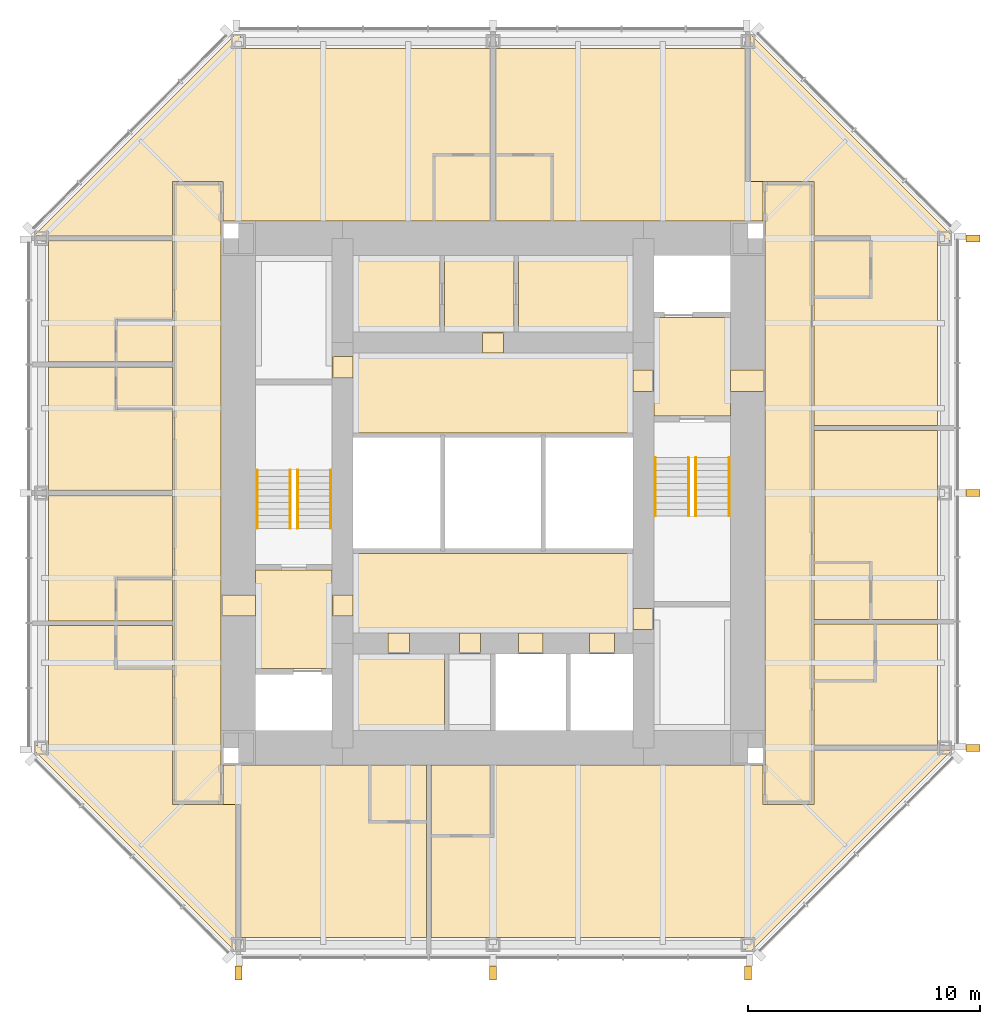
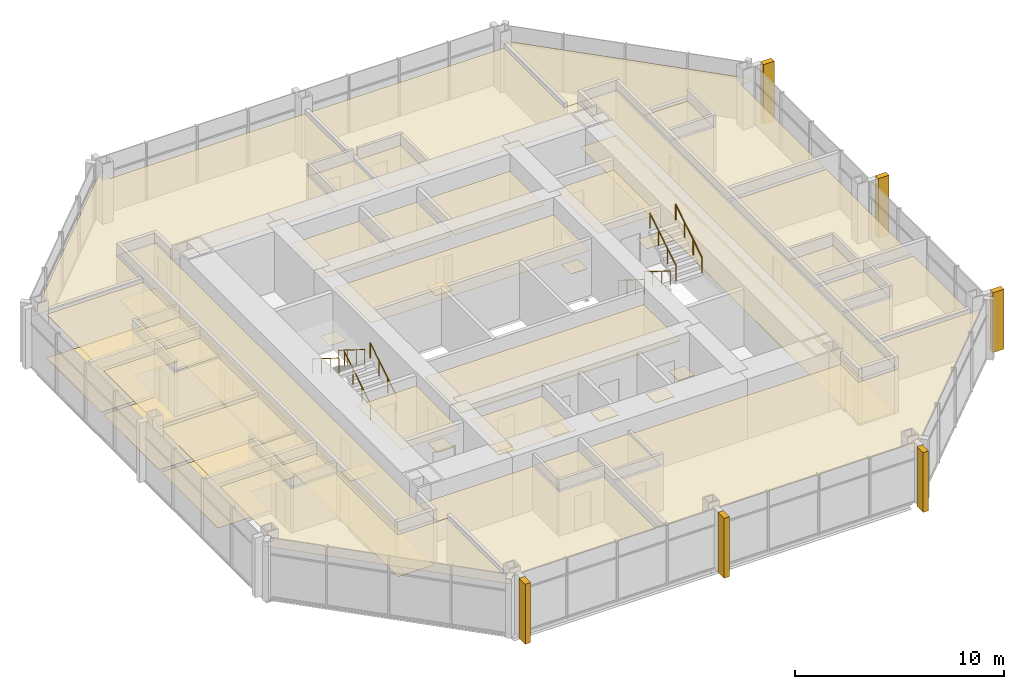
# One storey, part 11 of 11: 54 coverings, 8 railings.
"""IFC4 building model written with IfcOpenShell, lengths in metres."""

from ifc_helpers import new_model, si_unit, direction, frame, origin, origin_2d, place, context, subcontext, project, spatial, polyline, rectangle, circle, outline, extrude, material, layer, layer_set, type_object, element, save


model = new_model("IFC4")

# Units and contexts
model_context = context("Model", 3, precision=1e-05, world=origin(), true_north=direction((0.0, 1.0)))
body_context = subcontext(model_context, "Body", "Model", "MODEL_VIEW")
ifc_project = project(units=[si_unit("LENGTHUNIT", "METRE"), si_unit("AREAUNIT", "SQUARE_METRE"), si_unit("VOLUMEUNIT", "CUBIC_METRE"), si_unit("PLANEANGLEUNIT", "RADIAN"), si_unit("MASSUNIT", "GRAM", prefix="KILO")], contexts=[model_context])

# Site, building, storey
site_placement = place(None, origin())
site = spatial("IfcSite", under=ifc_project, at=site_placement, CompositionType="ELEMENT")
building_placement = place(site_placement, origin())
building = spatial("IfcBuilding", under=site, at=building_placement, Name="Trevanion Tower", CompositionType="ELEMENT")
storey_placement = place(building_placement, frame((0.0, 0.0, 225.699951171875)))
storey = spatial("IfcBuildingStorey", under=building, at=storey_placement, Name="L54", CompositionType="ELEMENT", Elevation=225.699951171875)

# Coverings
ifc_material_1 = material(Name="Fibrous plaster coffers on suspended steel grid", Category="steel")
ifc_layer_1 = layer(ifc_material_1, 0.050048828125)
ifc_layer_set_1 = layer_set([ifc_layer_1], Name="CL1 coffered fibrous plaster ceiling 50")
covering_type_1 = type_object("IfcCoveringType", Name="CL1 coffered fibrous plaster ceiling 50", PredefinedType="CEILING", material=ifc_layer_set_1)
covering_1_placement = place(storey_placement, frame((0.0, 0.0, 2.429931640625)))
element("IfcCovering", 1, at=covering_1_placement, inside=storey, type_object=covering_type_1, Name="CL1 L54-LBS", PredefinedType="CEILING", context=body_context, shape_type="SweptSolid", body=[
    extrude(outline(polyline([(6.050048828125, -6.050048828125), (6.050048828125, -2.60009765625), (-6.050048828125, -2.60009765625), (-6.050048828125, -6.050048828125), (6.050048828125, -6.050048828125)])), origin(), (0.0, 0.0, 1.0), 0.050048828125),
])
ifc_material_2 = material(Name="Mineral fibre acoustic tiles in exposed grid", Category="mineral fibre")
ifc_layer_2 = layer(ifc_material_2, 0.02001953125)
ifc_layer_set_2 = layer_set([ifc_layer_2], Name="CL2 acoustic tile ceiling 20")
covering_type_2 = type_object("IfcCoveringType", Name="CL2 acoustic tile ceiling 20", PredefinedType="CEILING", material=ifc_layer_set_2)
covering_2_placement = place(storey_placement, frame((0.0, 0.0, 2.4599609375)))
element("IfcCovering", 2, at=covering_2_placement, inside=storey, type_object=covering_type_2, Name="CL2 L54-LBN", PredefinedType="CEILING", context=body_context, shape_type="SweptSolid", body=[
    extrude(outline(polyline([(6.050048828125, 2.60009765625), (6.050048828125, 6.050048828125), (-6.050048828125, 6.050048828125), (-6.050048828125, 2.60009765625), (6.050048828125, 2.60009765625)])), origin(), (0.0, 0.0, 1.0), 0.02001953125),
])
covering_3_placement = place(storey_placement, frame((0.0, 0.0, 2.4599609375)))
element("IfcCovering", 3, at=covering_3_placement, inside=storey, type_object=covering_type_2, Name="CL2 L54-HKC", PredefinedType="CEILING", context=body_context, shape_type="SweptSolid", body=[
    extrude(outline(polyline([(0.89990234375, 6.949951171875), (0.89990234375, 10.25), (-2.10009765625, 10.25), (-2.10009765625, 6.949951171875), (0.89990234375, 6.949951171875)])), origin(), (0.0, 0.0, 1.0), 0.02001953125),
])
covering_4_placement = place(storey_placement, frame((0.0, 0.0, 2.633056640625)))
element("IfcCovering", 4, at=covering_4_placement, inside=storey, type_object=covering_type_2, Name="CL2 L54-CO1", PredefinedType="CEILING", context=body_context, shape_type="SweptSolid", body=[
    extrude(outline(polyline([(-11.75, 13.35009765625), (-11.75, -13.35009765625), (-13.75, -13.35009765625), (-13.75, 13.35009765625), (-11.75, 13.35009765625)])), origin(), (0.0, 0.0, 1.0), 0.02001953125),
])
covering_5_placement = place(storey_placement, frame((0.0, 0.0, 2.633056640625)))
element("IfcCovering", 5, at=covering_5_placement, inside=storey, type_object=covering_type_2, Name="CL2 L54-CO2", PredefinedType="CEILING", context=body_context, shape_type="SweptSolid", body=[
    extrude(outline(polyline([(11.75, -13.35009765625), (11.75, 13.35009765625), (13.75, 13.35009765625), (13.75, -13.35009765625), (11.75, -13.35009765625)])), origin(), (0.0, 0.0, 1.0), 0.02001953125),
])
ifc_material_3 = material(Name="Gypsum plasterboard on suspended metal furring", Category="gypsum")
ifc_layer_3 = layer(ifc_material_3, 0.012939453125)
ifc_layer_set_3 = layer_set([ifc_layer_3], Name="CL3 plasterboard ceiling 13")
covering_type_3 = type_object("IfcCoveringType", Name="CL3 plasterboard ceiling 13", PredefinedType="CEILING", material=ifc_layer_set_3)
covering_6_placement = place(storey_placement, frame((0.0, 0.0, 2.699951171875)))
element("IfcCovering", 6, at=covering_6_placement, inside=storey, type_object=covering_type_3, Name="CL3 L54-FV1", PredefinedType="CEILING", context=body_context, shape_type="SweptSolid", body=[
    extrude(outline(polyline([(10.25, 3.324951171875), (10.25, 7.574951171875), (6.949951171875, 7.574951171875), (6.949951171875, 3.324951171875), (10.25, 3.324951171875)])), origin(), (0.0, 0.0, 1.0), 0.01318359375),
])
covering_7_placement = place(storey_placement, frame((0.0, 0.0, 2.699951171875)))
element("IfcCovering", 7, at=covering_7_placement, inside=storey, type_object=covering_type_3, Name="CL3 L54-FV2", PredefinedType="CEILING", context=body_context, shape_type="SweptSolid", body=[
    extrude(outline(polyline([(-10.25, -3.324951171875), (-10.25, -7.574951171875), (-6.949951171875, -7.574951171875), (-6.949951171875, -3.324951171875), (-10.25, -3.324951171875)])), origin(), (0.0, 0.0, 1.0), 0.01318359375),
])
covering_8_placement = place(storey_placement, frame((0.0, 0.0, 2.551025390625)))
element("IfcCovering", 8, at=covering_8_placement, inside=storey, type_object=covering_type_3, Name="CL3 L54-GA", PredefinedType="CEILING", context=body_context, shape_type="SweptSolid", body=[
    extrude(outline(polyline([(13.85009765625, -8.09912109375), (16.5, -8.09912109375), (16.5, -5.64892578125), (19.199951171875, -5.64892578125), (19.199951171875, -10.89990234375), (13.85009765625, -10.89990234375), (13.85009765625, -8.09912109375)])), origin(), (0.0, 0.0, 1.0), 0.012939453125),
])
covering_9_placement = place(storey_placement, frame((0.0, 0.0, 2.551025390625)))
element("IfcCovering", 9, at=covering_9_placement, inside=storey, type_object=covering_type_3, Name="CL3 L54-GJ", PredefinedType="CEILING", context=body_context, shape_type="SweptSolid", body=[
    extrude(outline(polyline([(13.85009765625, 2.70703125), (19.199951171875, 2.70703125), (19.199951171875, -5.448974609375), (16.300048828125, -5.448974609375), (16.300048828125, -2.9990234375), (13.85009765625, -2.9990234375), (13.85009765625, 2.70703125)])), origin(), (0.0, 0.0, 1.0), 0.012939453125),
])
covering_10_placement = place(storey_placement, frame((0.0, 0.0, 2.551025390625)))
element("IfcCovering", 10, at=covering_10_placement, inside=storey, type_object=covering_type_3, Name="CL3 L54-GJ2", PredefinedType="CEILING", context=body_context, shape_type="SweptSolid", body=[
    extrude(outline(polyline([(11.10009765625, 13.449951171875), (11.10009765625, 19.800048828125), (11.124267578125, 19.800048828125), (19.800048828125, 11.124267578125), (19.800048828125, 10.89990234375), (19.199951171875, 10.89990234375), (19.199951171875, 2.906982421875), (13.85009765625, 2.906982421875), (13.85009765625, 8.449951171875), (16.300048828125, 8.449951171875), (16.300048828125, 10.949951171875), (13.85009765625, 10.949951171875), (13.85009765625, 13.449951171875), (11.10009765625, 13.449951171875)])), origin(), (0.0, 0.0, 1.0), 0.012939453125),
])
covering_11_placement = place(storey_placement, frame((0.0, 0.0, 2.551025390625)))
element("IfcCovering", 11, at=covering_11_placement, inside=storey, type_object=covering_type_3, Name="CL3 L54-GB", PredefinedType="CEILING", context=body_context, shape_type="SweptSolid", body=[
    extrude(outline(polyline([(0.10009765625, 19.199951171875), (10.89990234375, 19.199951171875), (10.89990234375, 13.449951171875), (11.64990234375, 13.449951171875), (11.64990234375, 11.75), (2.550048828125, 11.75), (2.550048828125, 14.60009765625), (0.10009765625, 14.60009765625), (0.10009765625, 19.199951171875)])), origin(), (0.0, 0.0, 1.0), 0.012939453125),
])
covering_12_placement = place(storey_placement, frame((0.0, 0.0, 2.551025390625)))
element("IfcCovering", 12, at=covering_12_placement, inside=storey, type_object=covering_type_3, Name="CL3 L54-GB2", PredefinedType="CEILING", context=body_context, shape_type="SweptSolid", body=[
    extrude(outline(polyline([(-13.85009765625, 11.10009765625), (-19.800048828125, 11.10009765625), (-19.800048828125, 11.124267578125), (-11.124267578125, 19.800048828125), (-10.89990234375, 19.800048828125), (-10.89990234375, 19.199951171875), (-0.10009765625, 19.199951171875), (-0.10009765625, 14.60009765625), (-2.550048828125, 14.60009765625), (-2.550048828125, 11.75), (-11.64990234375, 11.75), (-11.64990234375, 13.449951171875), (-13.85009765625, 13.449951171875), (-13.85009765625, 11.10009765625)])), origin(), (0.0, 0.0, 1.0), 0.012939453125),
])
covering_13_placement = place(storey_placement, frame((0.0, 0.0, 2.551025390625)))
element("IfcCovering", 13, at=covering_13_placement, inside=storey, type_object=covering_type_3, Name="CL3 L54-GR", PredefinedType="CEILING", context=body_context, shape_type="SweptSolid", body=[
    extrude(outline(polyline([(-13.85009765625, 7.4990234375), (-16.300048828125, 7.4990234375), (-16.300048828125, 5.64892578125), (-19.199951171875, 5.64892578125), (-19.199951171875, 10.89990234375), (-13.85009765625, 10.89990234375), (-13.85009765625, 7.4990234375)])), origin(), (0.0, 0.0, 1.0), 0.012939453125),
])
covering_14_placement = place(storey_placement, frame((0.0, 0.0, 2.551025390625)))
element("IfcCovering", 14, at=covering_14_placement, inside=storey, type_object=covering_type_3, Name="CL3 L54-GR2", PredefinedType="CEILING", context=body_context, shape_type="SweptSolid", body=[
    extrude(outline(polyline([(-13.85009765625, 0.10009765625), (-19.199951171875, 0.10009765625), (-19.199951171875, 5.448974609375), (-16.300048828125, 5.448974609375), (-16.300048828125, 3.59912109375), (-13.85009765625, 3.59912109375), (-13.85009765625, 0.10009765625)])), origin(), (0.0, 0.0, 1.0), 0.012939453125),
])
covering_15_placement = place(storey_placement, frame((0.0, 0.0, 2.551025390625)))
element("IfcCovering", 15, at=covering_15_placement, inside=storey, type_object=covering_type_3, Name="CL3 L54-GR3", PredefinedType="CEILING", context=body_context, shape_type="SweptSolid", body=[
    extrude(outline(polyline([(-13.85009765625, -3.6640625), (-16.300048828125, -3.6640625), (-16.300048828125, -5.513916015625), (-19.199951171875, -5.513916015625), (-19.199951171875, -0.10009765625), (-13.85009765625, -0.10009765625), (-13.85009765625, -3.6640625)])), origin(), (0.0, 0.0, 1.0), 0.012939453125),
])
covering_16_placement = place(storey_placement, frame((0.0, 0.0, 2.551025390625)))
element("IfcCovering", 16, at=covering_16_placement, inside=storey, type_object=covering_type_3, Name="CL3 L54-GR4", PredefinedType="CEILING", context=body_context, shape_type="SweptSolid", body=[
    extrude(outline(polyline([(-11.10009765625, -13.449951171875), (-11.10009765625, -19.800048828125), (-11.124267578125, -19.800048828125), (-19.800048828125, -11.124267578125), (-19.800048828125, -10.89990234375), (-19.199951171875, -10.89990234375), (-19.199951171875, -5.714111328125), (-16.300048828125, -5.714111328125), (-16.300048828125, -7.56396484375), (-13.85009765625, -7.56396484375), (-13.85009765625, -13.449951171875), (-11.10009765625, -13.449951171875)])), origin(), (0.0, 0.0, 1.0), 0.012939453125),
])
covering_17_placement = place(storey_placement, frame((0.0, 0.0, 2.551025390625)))
element("IfcCovering", 17, at=covering_17_placement, inside=storey, type_object=covering_type_3, Name="CL3 L54-GJ3", PredefinedType="CEILING", context=body_context, shape_type="SweptSolid", body=[
    extrude(outline(polyline([(-2.875, -19.199951171875), (-10.89990234375, -19.199951171875), (-10.89990234375, -13.449951171875), (-11.64990234375, -13.449951171875), (-11.64990234375, -11.75), (-5.324951171875, -11.75), (-5.324951171875, -14.199951171875), (-2.875, -14.199951171875), (-2.875, -19.199951171875)])), origin(), (0.0, 0.0, 1.0), 0.012939453125),
])
covering_18_placement = place(storey_placement, frame((0.0, 0.0, 2.551025390625)))
element("IfcCovering", 18, at=covering_18_placement, inside=storey, type_object=covering_type_3, Name="CL3 L54-GY", PredefinedType="CEILING", context=body_context, shape_type="SweptSolid", body=[
    extrude(outline(polyline([(13.85009765625, -11.10009765625), (19.800048828125, -11.10009765625), (19.800048828125, -11.124267578125), (11.124267578125, -19.800048828125), (10.89990234375, -19.800048828125), (10.89990234375, -19.199951171875), (-2.675048828125, -19.199951171875), (-2.675048828125, -14.800048828125), (-0.02490234375, -14.800048828125), (-0.02490234375, -11.75), (11.64990234375, -11.75), (11.64990234375, -13.449951171875), (13.85009765625, -13.449951171875), (13.85009765625, -11.10009765625)])), origin(), (0.0, 0.0, 1.0), 0.012939453125),
])
ifc_material_4 = material(Name="Moisture-resistant gypsum board on suspended metal furring", Category="gypsum")
ifc_layer_4 = layer(ifc_material_4, 0.01611328125)
ifc_layer_set_4 = layer_set([ifc_layer_4], Name="CL4 moisture-resistant board ceiling 16")
covering_type_4 = type_object("IfcCoveringType", Name="CL4 moisture-resistant board ceiling 16", PredefinedType="CEILING", material=ifc_layer_set_4)
covering_19_placement = place(storey_placement, frame((0.0, 0.0, 2.60009765625)))
element("IfcCovering", 19, at=covering_19_placement, inside=storey, type_object=covering_type_4, Name="CL4 L54-SI1", PredefinedType="CEILING", context=body_context, shape_type="SweptSolid", body=[
    extrude(outline(polyline([(-2.10009765625, -10.25), (-2.10009765625, -6.949951171875), (-6.050048828125, -6.949951171875), (-6.050048828125, -10.25), (-2.10009765625, -10.25)])), origin(), (0.0, 0.0, 1.0), 0.015869140625),
])
covering_20_placement = place(storey_placement, frame((0.0, 0.0, 2.464111328125)))
element("IfcCovering", 20, at=covering_20_placement, inside=storey, type_object=covering_type_4, Name="CL4 L54-HK", PredefinedType="CEILING", context=body_context, shape_type="SweptSolid", body=[
    extrude(outline(polyline([(-2.300048828125, 6.949951171875), (-2.300048828125, 10.25), (-6.050048828125, 10.25), (-6.050048828125, 6.949951171875), (-2.300048828125, 6.949951171875)])), origin(), (0.0, 0.0, 1.0), 0.015869140625),
])
covering_21_placement = place(storey_placement, frame((0.0, 0.0, 2.464111328125)))
element("IfcCovering", 21, at=covering_21_placement, inside=storey, type_object=covering_type_4, Name="CL4 L54-HKL", PredefinedType="CEILING", context=body_context, shape_type="SweptSolid", body=[
    extrude(outline(polyline([(6.050048828125, 6.949951171875), (6.050048828125, 10.25), (1.10009765625, 10.25), (1.10009765625, 6.949951171875), (6.050048828125, 6.949951171875)])), origin(), (0.0, 0.0, 1.0), 0.015869140625),
])
covering_22_placement = place(storey_placement, frame((0.0, 0.0, 2.60009765625)))
element("IfcCovering", 22, at=covering_22_placement, inside=storey, type_object=covering_type_4, Name="CL4 L54-EN", PredefinedType="CEILING", context=body_context, shape_type="SweptSolid", body=[
    extrude(outline(polyline([(16.449951171875, -8.049072265625), (16.449951171875, -5.64892578125), (13.85009765625, -5.64892578125), (13.85009765625, -8.049072265625), (16.449951171875, -8.049072265625)])), origin(), (0.0, 0.0, 1.0), 0.015869140625),
])
covering_23_placement = place(storey_placement, frame((0.0, 0.0, 2.60009765625)))
element("IfcCovering", 23, at=covering_23_placement, inside=storey, type_object=covering_type_4, Name="CL4 L54-EN2", PredefinedType="CEILING", context=body_context, shape_type="SweptSolid", body=[
    extrude(outline(polyline([(16.25, -5.448974609375), (16.25, -3.049072265625), (13.85009765625, -3.049072265625), (13.85009765625, -5.448974609375), (16.25, -5.448974609375)])), origin(), (0.0, 0.0, 1.0), 0.015869140625),
])
covering_24_placement = place(storey_placement, frame((0.0, 0.0, 2.60009765625)))
element("IfcCovering", 24, at=covering_24_placement, inside=storey, type_object=covering_type_4, Name="CL4 L54-EN3", PredefinedType="CEILING", context=body_context, shape_type="SweptSolid", body=[
    extrude(outline(polyline([(16.25, 8.5), (16.25, 10.89990234375), (13.85009765625, 10.89990234375), (13.85009765625, 8.5), (16.25, 8.5)])), origin(), (0.0, 0.0, 1.0), 0.015869140625),
])
covering_25_placement = place(storey_placement, frame((0.0, 0.0, 2.60009765625)))
element("IfcCovering", 25, at=covering_25_placement, inside=storey, type_object=covering_type_4, Name="CL4 L54-EN4", PredefinedType="CEILING", context=body_context, shape_type="SweptSolid", body=[
    extrude(outline(polyline([(2.5, 14.550048828125), (0.10009765625, 14.550048828125), (0.10009765625, 11.75), (2.5, 11.75), (2.5, 14.550048828125)])), origin(), (0.0, 0.0, 1.0), 0.015869140625),
])
covering_26_placement = place(storey_placement, frame((0.0, 0.0, 2.60009765625)))
element("IfcCovering", 26, at=covering_26_placement, inside=storey, type_object=covering_type_4, Name="CL4 L54-EN5", PredefinedType="CEILING", context=body_context, shape_type="SweptSolid", body=[
    extrude(outline(polyline([(-0.10009765625, 14.550048828125), (-2.5, 14.550048828125), (-2.5, 11.75), (-0.10009765625, 11.75), (-0.10009765625, 14.550048828125)])), origin(), (0.0, 0.0, 1.0), 0.015869140625),
])
covering_27_placement = place(storey_placement, frame((0.0, 0.0, 2.60009765625)))
element("IfcCovering", 27, at=covering_27_placement, inside=storey, type_object=covering_type_4, Name="CL4 L54-EN6", PredefinedType="CEILING", context=body_context, shape_type="SweptSolid", body=[
    extrude(outline(polyline([(-16.25, 7.448974609375), (-16.25, 5.64892578125), (-13.85009765625, 5.64892578125), (-13.85009765625, 7.448974609375), (-16.25, 7.448974609375)])), origin(), (0.0, 0.0, 1.0), 0.015869140625),
])
covering_28_placement = place(storey_placement, frame((0.0, 0.0, 2.60009765625)))
element("IfcCovering", 28, at=covering_28_placement, inside=storey, type_object=covering_type_4, Name="CL4 L54-EN7", PredefinedType="CEILING", context=body_context, shape_type="SweptSolid", body=[
    extrude(outline(polyline([(-16.25, 5.448974609375), (-16.25, 3.64892578125), (-13.85009765625, 3.64892578125), (-13.85009765625, 5.448974609375), (-16.25, 5.448974609375)])), origin(), (0.0, 0.0, 1.0), 0.015869140625),
])
covering_29_placement = place(storey_placement, frame((0.0, 0.0, 2.60009765625)))
element("IfcCovering", 29, at=covering_29_placement, inside=storey, type_object=covering_type_4, Name="CL4 L54-EN8", PredefinedType="CEILING", context=body_context, shape_type="SweptSolid", body=[
    extrude(outline(polyline([(-16.25, -3.714111328125), (-16.25, -5.513916015625), (-13.85009765625, -5.513916015625), (-13.85009765625, -3.714111328125), (-16.25, -3.714111328125)])), origin(), (0.0, 0.0, 1.0), 0.015869140625),
])
covering_30_placement = place(storey_placement, frame((0.0, 0.0, 2.60009765625)))
element("IfcCovering", 30, at=covering_30_placement, inside=storey, type_object=covering_type_4, Name="CL4 L54-EN9", PredefinedType="CEILING", context=body_context, shape_type="SweptSolid", body=[
    extrude(outline(polyline([(-16.25, -5.714111328125), (-16.25, -7.513916015625), (-13.85009765625, -7.513916015625), (-13.85009765625, -5.714111328125), (-16.25, -5.714111328125)])), origin(), (0.0, 0.0, 1.0), 0.015869140625),
])
covering_31_placement = place(storey_placement, frame((0.0, 0.0, 2.60009765625)))
element("IfcCovering", 31, at=covering_31_placement, inside=storey, type_object=covering_type_4, Name="CL4 L54-EN10", PredefinedType="CEILING", context=body_context, shape_type="SweptSolid", body=[
    extrude(outline(polyline([(-5.27490234375, -14.14990234375), (-2.875, -14.14990234375), (-2.875, -11.75), (-5.27490234375, -11.75), (-5.27490234375, -14.14990234375)])), origin(), (0.0, 0.0, 1.0), 0.015869140625),
])
covering_32_placement = place(storey_placement, frame((0.0, 0.0, 2.60009765625)))
element("IfcCovering", 32, at=covering_32_placement, inside=storey, type_object=covering_type_4, Name="CL4 L54-EN11", PredefinedType="CEILING", context=body_context, shape_type="SweptSolid", body=[
    extrude(outline(polyline([(-2.675048828125, -14.75), (-0.074951171875, -14.75), (-0.074951171875, -11.75), (-2.675048828125, -11.75), (-2.675048828125, -14.75)])), origin(), (0.0, 0.0, 1.0), 0.015869140625),
])
ifc_material_5 = material(Name="Cast bronze fin on aluminium carrier", Category="aluminium")
covering_type_5 = type_object("IfcCoveringType", Name="F1 bronze fin", PredefinedType="CLADDING", material=ifc_material_5)
for number, where, z_axis, x_axis, name in (
    (33, (20.72509765625, -11.0, -0.18994140625), (0.0, 0.0, 1.0), (0.0, 1.0, 0.0), "F1 L54 east -11.0"),
    (34, (20.72509765625, 0.0, -0.18994140625), (0.0, 0.0, 1.0), (0.0, 1.0, 0.0), "F1 L54 east +0.0"),
    (35, (20.72509765625, 11.0, -0.18994140625), (0.0, 0.0, 1.0), (0.0, 1.0, 0.0), "F1 L54 east +11.0"),
    (36, (-11.0, -20.72509765625, -0.18994140625), (0.0, 0.0, 1.0), (1.0, 0.0, 0.0), "F1 L54 south -11.0"),
    (37, (0.0, -20.72509765625, -0.18994140625), (0.0, 0.0, 1.0), (1.0, 0.0, 0.0), "F1 L54 south +0.0"),
    (38, (11.0, -20.72509765625, -0.18994140625), (0.0, 0.0, 1.0), (1.0, 0.0, 0.0), "F1 L54 south +11.0"),
):
    element("IfcCovering", number, at=place(storey_placement, frame(where, z_axis=z_axis, x_axis=x_axis)), inside=storey, type_object=covering_type_5, Name=name, PredefinedType="CLADDING", context=body_context, shape_type="SweptSolid", body=[
        extrude(rectangle(XDim=0.300048828125, YDim=0.60009765625, at=origin_2d()), origin(), (0.0, 0.0, 1.0), 3.5),
    ])
ifc_material_6 = material(Name="Terrazzo, brass divider strips", Category="stone")
ifc_layer_5 = layer(ifc_material_6, 0.02001953125)
ifc_layer_set_5 = layer_set([ifc_layer_5], Name="FF1 terrazzo flooring")
covering_type_6 = type_object("IfcCoveringType", Name="FF1 terrazzo flooring", PredefinedType="FLOORING", material=ifc_layer_set_5)
covering_33_placement = place(storey_placement, origin())
element("IfcCovering", 39, at=covering_33_placement, inside=storey, type_object=covering_type_6, Name="FF1 threshold 54-001", PredefinedType="FLOORING", context=body_context, shape_type="SweptSolid", body=[
    extrude(outline(polyline([(11.75, 4.392578125), (11.75, 5.3076171875), (10.25, 5.3076171875), (10.25, 4.392578125), (11.75, 4.392578125)])), origin(), (0.0, 0.0, 1.0), 0.02001953125),
])
covering_34_placement = place(storey_placement, origin())
element("IfcCovering", 40, at=covering_34_placement, inside=storey, type_object=covering_type_6, Name="FF1 threshold 54-002", PredefinedType="FLOORING", context=body_context, shape_type="SweptSolid", body=[
    extrude(outline(polyline([(-11.75, -4.392578125), (-11.75, -5.3076171875), (-10.25, -5.3076171875), (-10.25, -4.392578125), (-11.75, -4.392578125)])), origin(), (0.0, 0.0, 1.0), 0.02001953125),
])
covering_35_placement = place(storey_placement, origin())
element("IfcCovering", 41, at=covering_35_placement, inside=storey, type_object=covering_type_6, Name="FF1 threshold 54-003", PredefinedType="FLOORING", context=body_context, shape_type="SweptSolid", body=[
    extrude(outline(polyline([(6.949951171875, 4.392578125), (6.949951171875, 5.3076171875), (6.050048828125, 5.3076171875), (6.050048828125, 4.392578125), (6.949951171875, 4.392578125)])), origin(), (0.0, 0.0, 1.0), 0.02001953125),
])
covering_36_placement = place(storey_placement, origin())
element("IfcCovering", 42, at=covering_36_placement, inside=storey, type_object=covering_type_6, Name="FF1 threshold 54-004", PredefinedType="FLOORING", context=body_context, shape_type="SweptSolid", body=[
    extrude(outline(polyline([(-6.949951171875, -4.392578125), (-6.949951171875, -5.3076171875), (-6.050048828125, -5.3076171875), (-6.050048828125, -4.392578125), (-6.949951171875, -4.392578125)])), origin(), (0.0, 0.0, 1.0), 0.02001953125),
])
covering_37_placement = place(storey_placement, origin())
element("IfcCovering", 43, at=covering_37_placement, inside=storey, type_object=covering_type_6, Name="FF1 threshold 54-009", PredefinedType="FLOORING", context=body_context, shape_type="SweptSolid", body=[
    extrude(outline(polyline([(6.949951171875, -5.889892578125), (6.949951171875, -4.97509765625), (6.050048828125, -4.97509765625), (6.050048828125, -5.889892578125), (6.949951171875, -5.889892578125)])), origin(), (0.0, 0.0, 1.0), 0.02001953125),
])
covering_38_placement = place(storey_placement, origin())
element("IfcCovering", 44, at=covering_38_placement, inside=storey, type_object=covering_type_6, Name="FF1 threshold 54-010", PredefinedType="FLOORING", context=body_context, shape_type="SweptSolid", body=[
    extrude(outline(polyline([(-6.949951171875, 5.889892578125), (-6.949951171875, 4.97509765625), (-6.050048828125, 4.97509765625), (-6.050048828125, 5.889892578125), (-6.949951171875, 5.889892578125)])), origin(), (0.0, 0.0, 1.0), 0.02001953125),
])
covering_39_placement = place(storey_placement, origin())
element("IfcCovering", 45, at=covering_39_placement, inside=storey, type_object=covering_type_6, Name="FF1 threshold 54-011", PredefinedType="FLOORING", context=body_context, shape_type="SweptSolid", body=[
    extrude(outline(polyline([(1.091552734375, -6.949951171875), (2.158447265625, -6.949951171875), (2.158447265625, -6.050048828125), (1.091552734375, -6.050048828125), (1.091552734375, -6.949951171875)])), origin(), (0.0, 0.0, 1.0), 0.02001953125),
])
covering_40_placement = place(storey_placement, origin())
element("IfcCovering", 46, at=covering_40_placement, inside=storey, type_object=covering_type_6, Name="FF1 threshold 54-012", PredefinedType="FLOORING", context=body_context, shape_type="SweptSolid", body=[
    extrude(outline(polyline([(4.16650390625, -6.949951171875), (5.2333984375, -6.949951171875), (5.2333984375, -6.050048828125), (4.16650390625, -6.050048828125), (4.16650390625, -6.949951171875)])), origin(), (0.0, 0.0, 1.0), 0.02001953125),
])
covering_41_placement = place(storey_placement, origin())
element("IfcCovering", 47, at=covering_41_placement, inside=storey, type_object=covering_type_6, Name="FF1 threshold 54-013", PredefinedType="FLOORING", context=body_context, shape_type="SweptSolid", body=[
    extrude(outline(polyline([(-4.532470703125, -6.949951171875), (-3.617431640625, -6.949951171875), (-3.617431640625, -6.050048828125), (-4.532470703125, -6.050048828125), (-4.532470703125, -6.949951171875)])), origin(), (0.0, 0.0, 1.0), 0.02001953125),
])
covering_42_placement = place(storey_placement, origin())
element("IfcCovering", 48, at=covering_42_placement, inside=storey, type_object=covering_type_6, Name="FF1 threshold 54-014", PredefinedType="FLOORING", context=body_context, shape_type="SweptSolid", body=[
    extrude(outline(polyline([(-1.45751953125, -6.949951171875), (-0.54248046875, -6.949951171875), (-0.54248046875, -6.050048828125), (-1.45751953125, -6.050048828125), (-1.45751953125, -6.949951171875)])), origin(), (0.0, 0.0, 1.0), 0.02001953125),
])
covering_43_placement = place(storey_placement, origin())
element("IfcCovering", 49, at=covering_43_placement, inside=storey, type_object=covering_type_6, Name="FF1 threshold 54-015", PredefinedType="FLOORING", context=body_context, shape_type="SweptSolid", body=[
    extrude(outline(polyline([(0.45751953125, 6.949951171875), (-0.45751953125, 6.949951171875), (-0.45751953125, 6.050048828125), (0.45751953125, 6.050048828125), (0.45751953125, 6.949951171875)])), origin(), (0.0, 0.0, 1.0), 0.02001953125),
])
ifc_material_7 = material(Name="Wool carpet on underlay", Category="textile")
ifc_layer_6 = layer(ifc_material_7, 0.011962890625)
ifc_layer_set_6 = layer_set([ifc_layer_6], Name="FF2 carpet flooring")
covering_type_7 = type_object("IfcCoveringType", Name="FF2 carpet flooring", PredefinedType="FLOORING", material=ifc_layer_set_6)
covering_44_placement = place(storey_placement, origin())
element("IfcCovering", 50, at=covering_44_placement, inside=storey, type_object=covering_type_7, Name="FF2 L54-CO1", PredefinedType="FLOORING", context=body_context, shape_type="SweptSolid", body=[
    extrude(outline(polyline([(-11.75, 13.35009765625), (-11.75, -13.35009765625), (-13.75, -13.35009765625), (-13.75, 13.35009765625), (-11.75, 13.35009765625)])), origin(), (0.0, 0.0, 1.0), 0.011962890625),
])
covering_45_placement = place(storey_placement, origin())
element("IfcCovering", 51, at=covering_45_placement, inside=storey, type_object=covering_type_7, Name="FF2 L54-CO2", PredefinedType="FLOORING", context=body_context, shape_type="SweptSolid", body=[
    extrude(outline(polyline([(11.75, -13.35009765625), (11.75, 13.35009765625), (13.75, 13.35009765625), (13.75, -13.35009765625), (11.75, -13.35009765625)])), origin(), (0.0, 0.0, 1.0), 0.011962890625),
])
covering_46_placement = place(storey_placement, origin())
element("IfcCovering", 52, at=covering_46_placement, inside=storey, type_object=covering_type_7, Name="FF2 L54-GR", PredefinedType="FLOORING", context=body_context, shape_type="SweptSolid", body=[
    extrude(outline(polyline([(-13.85009765625, 7.4990234375), (-16.300048828125, 7.4990234375), (-16.300048828125, 5.64892578125), (-19.199951171875, 5.64892578125), (-19.199951171875, 10.89990234375), (-13.85009765625, 10.89990234375), (-13.85009765625, 7.4990234375)])), origin(), (0.0, 0.0, 1.0), 0.011962890625),
])
covering_47_placement = place(storey_placement, origin())
element("IfcCovering", 53, at=covering_47_placement, inside=storey, type_object=covering_type_7, Name="FF2 L54-GR2", PredefinedType="FLOORING", context=body_context, shape_type="SweptSolid", body=[
    extrude(outline(polyline([(-13.85009765625, 0.10009765625), (-19.199951171875, 0.10009765625), (-19.199951171875, 5.448974609375), (-16.300048828125, 5.448974609375), (-16.300048828125, 3.59912109375), (-13.85009765625, 3.59912109375), (-13.85009765625, 0.10009765625)])), origin(), (0.0, 0.0, 1.0), 0.011962890625),
])
covering_48_placement = place(storey_placement, origin())
element("IfcCovering", 54, at=covering_48_placement, inside=storey, type_object=covering_type_7, Name="FF2 L54-GR3", PredefinedType="FLOORING", context=body_context, shape_type="SweptSolid", body=[
    extrude(outline(polyline([(-13.85009765625, -3.6640625), (-16.300048828125, -3.6640625), (-16.300048828125, -5.513916015625), (-19.199951171875, -5.513916015625), (-19.199951171875, -0.10009765625), (-13.85009765625, -0.10009765625), (-13.85009765625, -3.6640625)])), origin(), (0.0, 0.0, 1.0), 0.011962890625),
])

# Railings
ifc_material_8 = material(Name="Stainless steel tube 40 mm", Category="steel")
railing_type = type_object("IfcRailingType", Name="HR1 handrail", PredefinedType="HANDRAIL", material=ifc_material_8)
for number, where, name in (
    (55, (7.010009765625, 1.52490234375, 0.175048828125), "HR1 ST1 L54 flight 1"),
    (56, (8.43994140625, 1.52490234375, 0.175048828125), "HR1 ST1 L54 flight 1"),
):
    element("IfcRailing", number, at=place(storey_placement, frame(where)), inside=storey, type_object=railing_type, Name=name, PredefinedType="HANDRAIL", context=body_context, shape_type="SweptSolid", body=[
        extrude(circle(Radius=0.02001953125, at=origin_2d()), frame((0.0, 0.0, 0.8798828125), z_axis=(0.0, -0.848007534815, 0.529984170421), x_axis=(1.0, 0.0, 0.0)), (0.0, 0.0, 1.0), 2.9716796875),
        extrude(circle(Radius=0.01513671875, at=origin_2d()), origin(), (0.0, 0.0, 1.0), 0.85986328125),
        extrude(circle(Radius=0.01513671875, at=origin_2d()), frame((0.0, -0.840087890625, 0.52490234375)), (0.0, 0.0, 1.0), 0.85986328125),
        extrude(circle(Radius=0.01513671875, at=origin_2d()), frame((0.0, -1.679931640625, 1.050048828125)), (0.0, 0.0, 1.0), 0.85986328125),
        extrude(circle(Radius=0.01513671875, at=origin_2d()), frame((0.0, -2.52001953125, 1.574951171875)), (0.0, 0.0, 1.0), 0.85986328125),
    ])
for number, where, name in (
    (57, (8.760009765625, -0.9951171875, 1.925048828125), "HR1 ST1 L54 flight 2"),
    (58, (10.18994140625, -0.9951171875, 1.925048828125), "HR1 ST1 L54 flight 2"),
    (59, (-7.010009765625, -1.52490234375, 0.175048828125), "HR1 ST2 L54 flight 1"),
    (60, (-8.43994140625, -1.52490234375, 0.175048828125), "HR1 ST2 L54 flight 1"),
):
    element("IfcRailing", number, at=place(storey_placement, frame(where)), inside=storey, type_object=railing_type, Name=name, PredefinedType="HANDRAIL", context=body_context, shape_type="SweptSolid", body=[
        extrude(circle(Radius=0.02001953125, at=origin_2d()), frame((0.0, 0.0, 0.8798828125), z_axis=(0.0, 0.848007534815, 0.529984170421), x_axis=(-1.0, 0.0, 0.0)), (0.0, 0.0, 1.0), 2.9716796875),
        extrude(circle(Radius=0.01513671875, at=origin_2d()), origin(), (0.0, 0.0, 1.0), 0.85986328125),
        extrude(circle(Radius=0.01513671875, at=origin_2d()), frame((0.0, 0.840087890625, 0.52490234375)), (0.0, 0.0, 1.0), 0.85986328125),
        extrude(circle(Radius=0.01513671875, at=origin_2d()), frame((0.0, 1.679931640625, 1.050048828125)), (0.0, 0.0, 1.0), 0.85986328125),
        extrude(circle(Radius=0.01513671875, at=origin_2d()), frame((0.0, 2.52001953125, 1.574951171875)), (0.0, 0.0, 1.0), 0.85986328125),
    ])
for number, where, name in (
    (61, (-8.760009765625, 0.9951171875, 1.925048828125), "HR1 ST2 L54 flight 2"),
    (62, (-10.18994140625, 0.9951171875, 1.925048828125), "HR1 ST2 L54 flight 2"),
):
    element("IfcRailing", number, at=place(storey_placement, frame(where)), inside=storey, type_object=railing_type, Name=name, PredefinedType="HANDRAIL", context=body_context, shape_type="SweptSolid", body=[
        extrude(circle(Radius=0.02001953125, at=origin_2d()), frame((0.0, 0.0, 0.8798828125), z_axis=(0.0, -0.848007534815, 0.529984170421), x_axis=(1.0, 0.0, 0.0)), (0.0, 0.0, 1.0), 2.9716796875),
        extrude(circle(Radius=0.01513671875, at=origin_2d()), origin(), (0.0, 0.0, 1.0), 0.85986328125),
        extrude(circle(Radius=0.01513671875, at=origin_2d()), frame((0.0, -0.840087890625, 0.52490234375)), (0.0, 0.0, 1.0), 0.85986328125),
        extrude(circle(Radius=0.01513671875, at=origin_2d()), frame((0.0, -1.679931640625, 1.050048828125)), (0.0, 0.0, 1.0), 0.85986328125),
        extrude(circle(Radius=0.01513671875, at=origin_2d()), frame((0.0, -2.52001953125, 1.574951171875)), (0.0, 0.0, 1.0), 0.85986328125),
    ])

save(model, "model.ifc")
